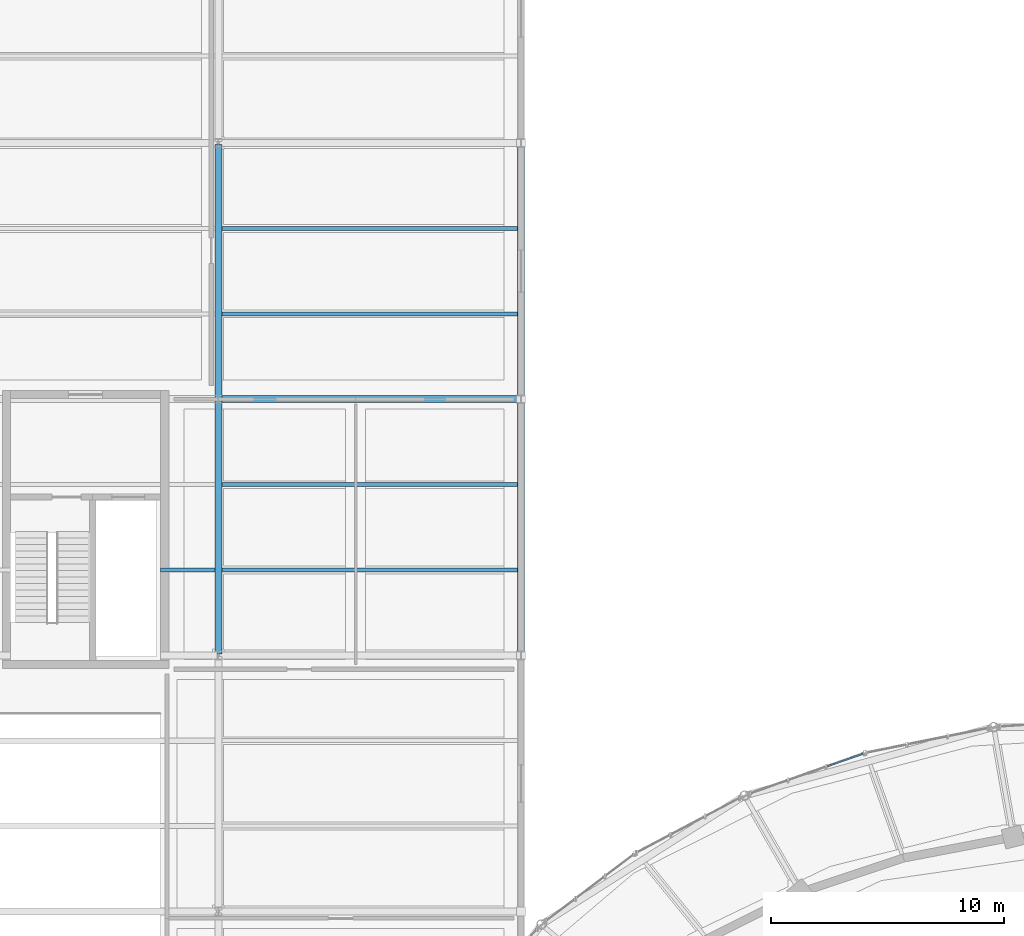
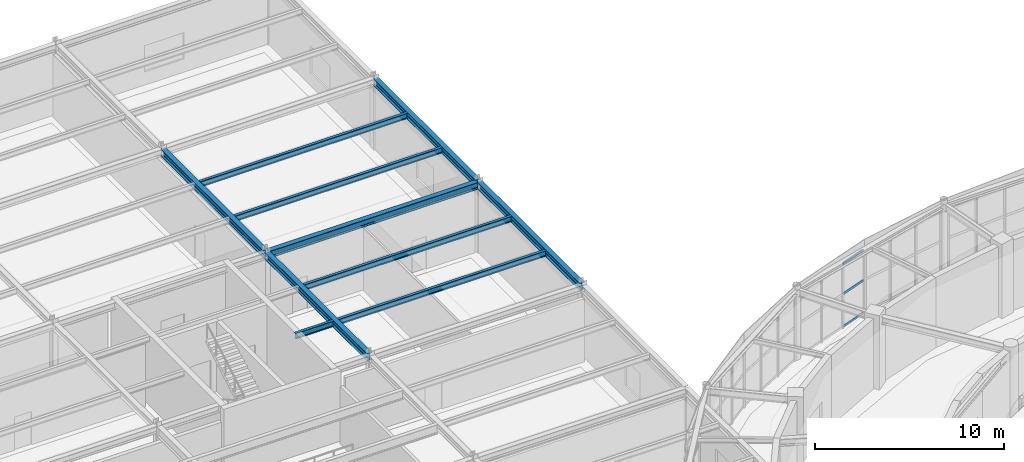
# One storey, part 47 of 100: 10 beams, 3 members, 1 element without a shape of its own.
"""IFC4 building model written with IfcOpenShell, lengths in metres."""

import ifcopenshell
import ifcopenshell.guid

model = None  # the IFC model being written
_history = None  # IfcOwnerHistory: only IFC2X3 demands one
_inside = {}  # id of a spatial element -> (the spatial element, [elements in it])
_under = {}  # id of a project, library or spatial element -> (it, [spatial elements below it])
_declared = {}  # id of a project -> (the project, [libraries it declares])
_typed = {}  # id of a type object -> (the type object, [elements of that type])
_made_of = {}  # id of a material, layer set ... -> (it, [elements and type objects made of it])


def new_model(schema):
    """Start an empty IFC model of exactly this schema.

    Asked for "IFC4X3", IfcOpenShell would pick the latest addendum, in which some entities
    have other attributes; the version numbers below select the first issue.
    IFC2X3 requires an IfcOwnerHistory on every rooted entity: one is made here for all.
    """
    global model, _history
    if schema == "IFC4X3":
        model = ifcopenshell.file(schema_version=(4, 3, 0, 0))
    else:
        model = ifcopenshell.file(schema=schema)
    _inside.clear()
    _under.clear()
    _declared.clear()
    _typed.clear()
    _made_of.clear()
    _history = None
    if model.schema == "IFC2X3":
        org = make("IfcOrganization", Name="unknown")
        user = make(
            "IfcPersonAndOrganization",
            ThePerson=make("IfcPerson", FamilyName="unknown"),
            TheOrganization=org,
        )
        app = make(
            "IfcApplication",
            ApplicationDeveloper=org,
            Version="unknown",
            ApplicationFullName="unknown",
            ApplicationIdentifier="unknown",
        )
        _history = make(
            "IfcOwnerHistory",
            OwningUser=user,
            OwningApplication=app,
            ChangeAction="ADDED",
            CreationDate=0,
        )
    return model


def make(cls, **values):
    """One entity of the class cls with the attributes given. An attribute that is None is left unset."""
    return model.create_entity(
        cls, **{name: value for name, value in values.items() if value is not None}
    )


def rooted(cls, **values):
    """An entity with a GlobalId (a new one), such as an element, a storey or a relation."""
    return make(cls, GlobalId=ifcopenshell.guid.new(), OwnerHistory=_history, **values)


def si_unit(unit_type, name, prefix=None):
    """IfcSIUnit, for example si_unit("LENGTHUNIT", "METRE", prefix="MILLI")."""
    return make("IfcSIUnit", UnitType=unit_type, Prefix=prefix, Name=name)


def assignment(units):
    """IfcUnitAssignment: the units of a project."""
    return None if units is None else make("IfcUnitAssignment", Units=units)


def point(xyz):
    """IfcCartesianPoint."""
    return None if xyz is None else make("IfcCartesianPoint", Coordinates=xyz)


def direction(xyz):
    """IfcDirection."""
    return None if xyz is None else make("IfcDirection", DirectionRatios=xyz)


def frame(location, z_axis=None, x_axis=None):
    """IfcAxis2Placement3D, a coordinate frame: its origin and axes. An axis left out is left unset."""
    return make(
        "IfcAxis2Placement3D",
        Location=point(location),
        Axis=direction(z_axis),
        RefDirection=direction(x_axis),
    )


def frame_2d(location, x_axis=None):
    """IfcAxis2Placement2D, a coordinate frame in the plane: its origin and x axis."""
    return make(
        "IfcAxis2Placement2D", Location=point(location), RefDirection=direction(x_axis)
    )


def origin():
    """The frame at (0, 0, 0) with its axes left unset."""
    return frame((0.0, 0.0, 0.0))


def origin_2d():
    """The frame at (0, 0) in the plane with its x axis left unset."""
    return frame_2d((0.0, 0.0))


def place(relative_to, where):
    """IfcLocalPlacement: puts the frame where relative to a parent placement (None: the world)."""
    return make(
        "IfcLocalPlacement", PlacementRelTo=relative_to, RelativePlacement=where
    )


def context(
    kind, dimensions, precision=None, world=None, true_north=None, identifier=None
):
    """IfcGeometricRepresentationContext, for example the 3D "Model" context."""
    return make(
        "IfcGeometricRepresentationContext",
        ContextIdentifier=identifier,
        ContextType=kind,
        CoordinateSpaceDimension=dimensions,
        Precision=precision,
        WorldCoordinateSystem=world,
        TrueNorth=true_north,
    )


def subcontext(parent, identifier, kind, view, scale=None):
    """IfcGeometricRepresentationSubContext, for example "Body" below "Model"."""
    return make(
        "IfcGeometricRepresentationSubContext",
        ContextIdentifier=identifier,
        ContextType=kind,
        ParentContext=parent,
        TargetScale=scale,
        TargetView=view,
    )


def project(units=None, contexts=None):
    """IfcProject with its units and contexts."""
    return rooted(
        "IfcProject",
        Name="project",
        RepresentationContexts=contexts,
        UnitsInContext=assignment(units),
    )


def spatial(cls, under=None, at=None, **own):
    """A site, building, storey or space (cls), placed at a placement, below another one or the project."""
    s = rooted(cls, ObjectPlacement=at, **own)
    if under is not None:
        _under.setdefault(under.id(), (under, []))[1].append(s)
    return s


def profile(cls, at=None, kind="AREA", **sizes):
    """A parametric profile (cls). Its sizes go by their IFC names, for example OverallWidth=200.0."""
    return make(cls, ProfileType=kind, Position=at, **sizes)


def hollow_rectangle(**sizes):
    """IfcRectangleHollowProfileDef."""
    return profile("IfcRectangleHollowProfileDef", **sizes)


def i_section(**sizes):
    """IfcIShapeProfileDef."""
    return profile("IfcIShapeProfileDef", **sizes)


def extrude(swept, where, along, depth):
    """IfcExtrudedAreaSolid: the profile swept, set in the frame where, extruded along a direction by depth."""
    return make(
        "IfcExtrudedAreaSolid",
        SweptArea=swept,
        Position=where,
        ExtrudedDirection=direction(along),
        Depth=depth,
    )


def shape(context_of_items, identifier, shape_type, items):
    """IfcShapeRepresentation: the items that make up one representation, for example the "Body"."""
    return make(
        "IfcShapeRepresentation",
        ContextOfItems=context_of_items,
        RepresentationIdentifier=identifier,
        RepresentationType=shape_type,
        Items=items,
    )


def material(Name=None, Category=None):
    """IfcMaterial."""
    return make("IfcMaterial", Name=Name, Category=Category)


def material_profile(
    of_material, cross_section, Name=None, Category=None, Priority=None
):
    """IfcMaterialProfile: a cross section and its material."""
    return make(
        "IfcMaterialProfile",
        Name=Name,
        Material=of_material,
        Profile=cross_section,
        Priority=Priority,
        Category=Category,
    )


def profile_set(profiles, Name=None, composite=None):
    """IfcMaterialProfileSet."""
    return make(
        "IfcMaterialProfileSet",
        Name=Name,
        MaterialProfiles=profiles,
        CompositeProfile=composite,
    )


def made_of(thing, what):
    """Note that an element or type object is made of a material, layer set ...; save() writes the relation."""
    if what is not None:
        _made_of.setdefault(what.id(), (what, []))[1].append(thing)
    return thing


def type_object(cls, material=None, **own):
    """A type object (cls), such as IfcWallType, which elements share."""
    return made_of(rooted(cls, **own), material)


def element(
    cls,
    number,
    at=None,
    inside=None,
    cuts=None,
    type_object=None,
    material=None,
    context=None,
    identifier="Body",
    shape_type=None,
    held_by="IfcProductDefinitionShape",
    body=None,
    shapes=None,
    **own,
):
    """One element of the class cls, such as IfcWall. Its Tag is "e" and its number.

    at: its placement. inside: the storey or other place that contains it. cuts: it is an
    opening in that element (IfcRelVoidsElement). A single representation is given by context,
    identifier, shape_type and body (its items); several are given by shapes. held_by: the class
    of the entity that holds the representations. save() writes the other relations.
    """
    e = rooted(cls, Tag="e%d" % number, ObjectPlacement=at, **own)
    if body is not None:
        shapes = [shape(context, identifier, shape_type, body)]
    if shapes is not None:
        e.Representation = make(held_by, Representations=shapes)
    if inside is not None:
        _inside.setdefault(inside.id(), (inside, []))[1].append(e)
    if cuts is not None:
        rooted(
            "IfcRelVoidsElement", RelatingBuildingElement=cuts, RelatedOpeningElement=e
        )
    if type_object is not None:
        _typed.setdefault(type_object.id(), (type_object, []))[1].append(e)
    return made_of(e, material)


def aggregate(whole, parts):
    """IfcRelAggregates: a whole, such as a stair, and the parts it consists of."""
    return rooted("IfcRelAggregates", RelatingObject=whole, RelatedObjects=parts)


def save(model, path):
    """Write the relations noted so far, then the file.

    IfcRelAggregates (storeys below a building ...), IfcRelContainedInSpatialStructure (elements
    in a storey), IfcRelDefinesByType, IfcRelAssociatesMaterial and IfcRelDeclares: one each for
    every whole, place, type object, material and project.
    """
    for whole, parts in _under.values():
        aggregate(whole, parts)
    for where, things in _inside.values():
        rooted(
            "IfcRelContainedInSpatialStructure",
            RelatedElements=things,
            RelatingStructure=where,
        )
    for kind, things in _typed.values():
        rooted("IfcRelDefinesByType", RelatedObjects=things, RelatingType=kind)
    for what, things in _made_of.values():
        rooted("IfcRelAssociatesMaterial", RelatedObjects=things, RelatingMaterial=what)
    for by, libraries in _declared.values():
        rooted("IfcRelDeclares", RelatingContext=by, RelatedDefinitions=libraries)
    model.write(path)


model = new_model("IFC4")

# Units and contexts
model_context = context("Model", 3, precision=1e-05, world=origin(), true_north=direction((0.0, 1.0)))
body_context = subcontext(model_context, "Body", "Model", "MODEL_VIEW")
ifc_project = project(units=[si_unit("LENGTHUNIT", "METRE"), si_unit("AREAUNIT", "SQUARE_METRE"), si_unit("VOLUMEUNIT", "CUBIC_METRE"), si_unit("PLANEANGLEUNIT", "RADIAN"), si_unit("MASSUNIT", "GRAM", prefix="KILO")], contexts=[model_context])

# Site, building, storey
site_placement = place(None, origin())
site = spatial("IfcSite", under=ifc_project, at=site_placement, CompositionType="ELEMENT")
building_placement = place(site_placement, origin())
building = spatial("IfcBuilding", under=site, at=building_placement, Name="Tarnveldt Headland Concert Hall", CompositionType="ELEMENT")
storey_placement = place(building_placement, frame((0.0, 0.0, 4.800048828125)))
storey = spatial("IfcBuildingStorey", under=building, at=storey_placement, Name="L01", CompositionType="ELEMENT", Elevation=4.800048828125)

# Beams
ifc_material_1 = material(Name="Steel S355", Category="steel")
ifc_material_profile_1 = material_profile(ifc_material_1, i_section(OverallWidth=0.300048828125, OverallDepth=0.449951171875, WebThickness=0.013916015625, FlangeThickness=0.02587890625, FilletRadius=0.027099609375, at=origin_2d()), Name="HEB450", Category="steel")
ifc_profile_set_1 = profile_set([ifc_material_profile_1], Name="Steel S355")
beam_type_1 = type_object("IfcBeamType", Name="SB-HEB450", PredefinedType="BEAM", material=ifc_profile_set_1)
beam_1_placement = place(storey_placement, frame((44.56005859375, 93.0, 4.31494140625), z_axis=(1.0, 0.0, 0.0), x_axis=(0.0, 1.0, 0.0)))
element("IfcBeam", 1, at=beam_1_placement, inside=storey, type_object=beam_type_1, Name="Framing beam L01-932", PredefinedType="BEAM", context=body_context, shape_type="SweptSolid", body=[
    extrude(i_section(OverallWidth=0.300048828125, OverallDepth=0.449951171875, WebThickness=0.013916015625, FlangeThickness=0.02587890625, FilletRadius=0.027099609375, at=origin_2d()), origin(), (0.0, 0.0, 1.0), 12.8798828125),
])
for number, where, z_axis, x_axis, name in (
    (2, (44.5, 82.06005859375, 4.31494140625), (0.0, 1.0, 0.0), (-1.0, 0.0, 0.0), "Framing beam L01-980"),
    (3, (44.5, 93.06005859375, 4.31494140625), (0.0, 1.0, 0.0), (-1.0, 0.0, 0.0), "Framing beam L01-983"),
    (4, (57.5, 82.06005859375, 4.31494140625), (0.0, 1.0, 0.0), (-1.0, 0.0, 0.0), "Framing beam L01-991"),
    (5, (57.5, 93.06005859375, 4.31494140625), (0.0, 1.0, 0.0), (-1.0, 0.0, 0.0), "Framing beam L01-992"),
):
    element("IfcBeam", number, at=place(storey_placement, frame(where, z_axis=z_axis, x_axis=x_axis)), inside=storey, type_object=beam_type_1, Name=name, PredefinedType="BEAM", context=body_context, shape_type="SweptSolid", body=[
        extrude(i_section(OverallWidth=0.300048828125, OverallDepth=0.449951171875, WebThickness=0.013916015625, FlangeThickness=0.02587890625, FilletRadius=0.027099609375, at=origin_2d()), origin(), (0.0, 0.0, 1.0), 10.8798828125),
    ])
ifc_material_profile_2 = material_profile(ifc_material_1, i_section(OverallWidth=0.169921875, OverallDepth=0.360107421875, WebThickness=0.008056640625, FlangeThickness=0.0126953125, FilletRadius=0.01806640625, at=origin_2d()), Name="IPE360", Category="steel")
ifc_profile_set_2 = profile_set([ifc_material_profile_2], Name="Steel S355")
beam_type_2 = type_object("IfcBeamType", Name="SB-IPE360", PredefinedType="JOIST", material=ifc_profile_set_2)
beam_2_placement = place(storey_placement, frame((42.02001953125, 85.6669921875, 4.35986328125), z_axis=(1.0, 0.0, 0.0), x_axis=(0.0, 1.0, 0.0)))
element("IfcBeam", 6, at=beam_2_placement, inside=storey, type_object=beam_type_2, Name="Framing beam L01-966", PredefinedType="JOIST", context=body_context, shape_type="SweptSolid", body=[
    extrude(i_section(OverallWidth=0.169921875, OverallDepth=0.360107421875, WebThickness=0.008056640625, FlangeThickness=0.0126953125, FilletRadius=0.01806640625, at=origin_2d()), origin(), (0.0, 0.0, 1.0), 2.330078125),
])
for number, where, z_axis, x_axis, name in (
    (7, (44.64990234375, 85.6669921875, 4.35986328125), (1.0, 0.0, 0.0), (0.0, 1.0, 0.0), "Framing beam L01-981"),
    (8, (44.64990234375, 89.3330078125, 4.35986328125), (1.0, 0.0, 0.0), (0.0, 1.0, 0.0), "Framing beam L01-982"),
    (9, (44.64990234375, 96.6669921875, 4.35986328125), (1.0, 0.0, 0.0), (0.0, 1.0, 0.0), "Framing beam L01-984"),
    (10, (44.64990234375, 100.3330078125, 4.35986328125), (1.0, 0.0, 0.0), (0.0, 1.0, 0.0), "Framing beam L01-985"),
):
    element("IfcBeam", number, at=place(storey_placement, frame(where, z_axis=z_axis, x_axis=x_axis)), inside=storey, type_object=beam_type_2, Name=name, PredefinedType="JOIST", context=body_context, shape_type="SweptSolid", body=[
        extrude(i_section(OverallWidth=0.169921875, OverallDepth=0.360107421875, WebThickness=0.008056640625, FlangeThickness=0.0126953125, FilletRadius=0.01806640625, at=origin_2d()), origin(), (0.0, 0.0, 1.0), 12.7001953125),
    ])

# Curtain wall, members
ifc_material_2 = material(Name="Marine-anodised aluminium EN AW-6063-T6", Category="aluminium")
curtain_wall_type = type_object("IfcCurtainWallType", Name="CW-F2", PredefinedType="NOTDEFINED", material=ifc_material_2)
curtain_wall_placement = place(storey_placement, origin())
curtain_wall = element("IfcCurtainWall", 11, at=curtain_wall_placement, inside=storey, type_object=curtain_wall_type, Name="Curtain wall CW-L01-038", PredefinedType="NOTDEFINED")
ifc_material_profile_3 = material_profile(ifc_material_2, hollow_rectangle(XDim=0.06494140625, YDim=0.139892578125, WallThickness=0.00390625, at=origin_2d()), Name="ALU TRANSOM 65x140x4", Category="aluminium")
ifc_profile_set_3 = profile_set([ifc_material_profile_3], Name="Marine-anodised aluminium EN AW-6063-T6")
member_type = type_object("IfcMemberType", Name="TR-140", PredefinedType="MEMBER", material=ifc_profile_set_3)
member_1_placement = place(storey_placement, frame((72.197265625, 77.774658203125, 0.050048828125), z_axis=(-0.943086608154, -0.332547213971, 0.0), x_axis=(0.332547213971, -0.943086608154, 0.0)))
member_1 = element("IfcMember", 12, at=member_1_placement, type_object=member_type, Name="Transom CW-L01-038-1-1", PredefinedType="MEMBER", context=body_context, shape_type="SweptSolid", body=[
    extrude(hollow_rectangle(XDim=0.06494140625, YDim=0.139892578125, WallThickness=0.00390625, at=origin_2d()), origin(), (0.0, 0.0, 1.0), 1.637939453125),
])
member_2_placement = place(storey_placement, frame((72.197265625, 77.774658203125, 2.1630859375), z_axis=(-0.943086608154, -0.332547213971, 0.0), x_axis=(0.332547213971, -0.943086608154, 0.0)))
member_2 = element("IfcMember", 13, at=member_2_placement, type_object=member_type, Name="Transom CW-L01-038-1-2", PredefinedType="MEMBER", context=body_context, shape_type="SweptSolid", body=[
    extrude(hollow_rectangle(XDim=0.06494140625, YDim=0.139892578125, WallThickness=0.00390625, at=origin_2d()), origin(), (0.0, 0.0, 1.0), 1.637939453125),
])
member_3_placement = place(storey_placement, frame((72.197265625, 77.774658203125, 4.10986328125), z_axis=(-0.943086608154, -0.332547213971, 0.0), x_axis=(0.332547213971, -0.943086608154, 0.0)))
member_3 = element("IfcMember", 14, at=member_3_placement, type_object=member_type, Name="Transom CW-L01-038-1-3", PredefinedType="MEMBER", context=body_context, shape_type="SweptSolid", body=[
    extrude(hollow_rectangle(XDim=0.06494140625, YDim=0.139892578125, WallThickness=0.00390625, at=origin_2d()), origin(), (0.0, 0.0, 1.0), 1.637939453125),
])
aggregate(curtain_wall, [member_1, member_2, member_3])

save(model, "model.ifc")
